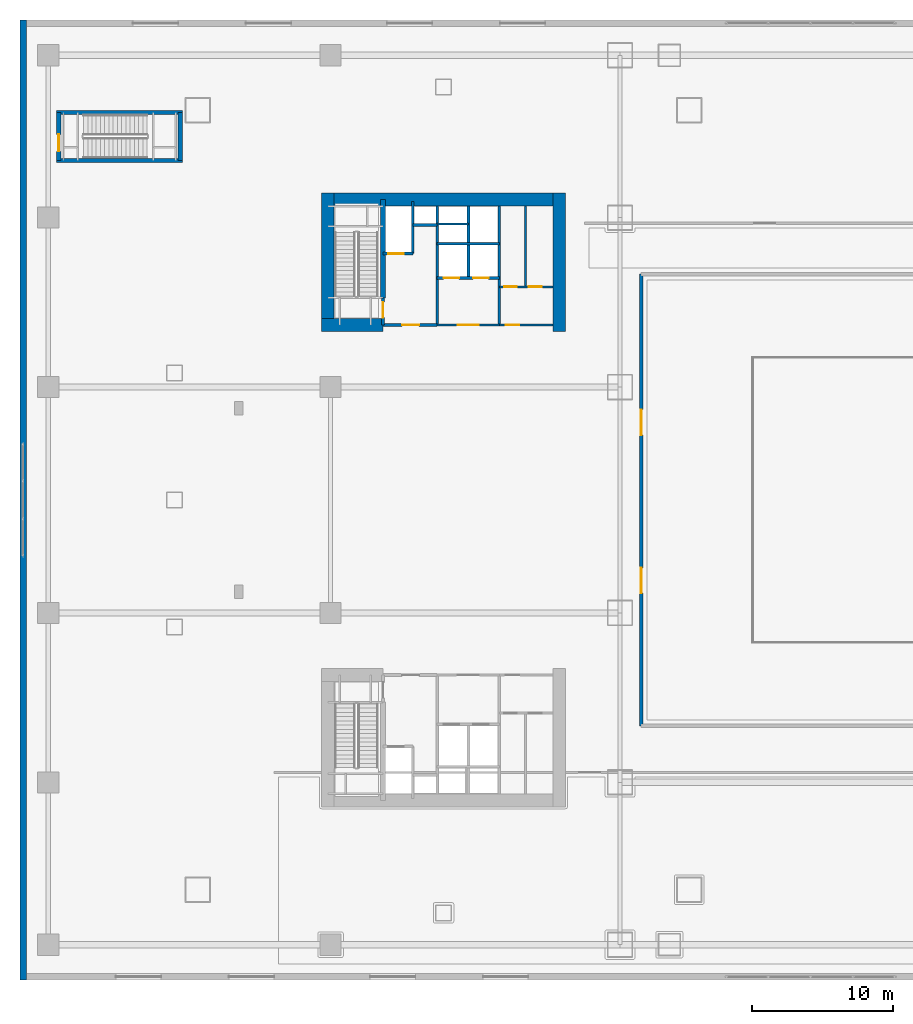
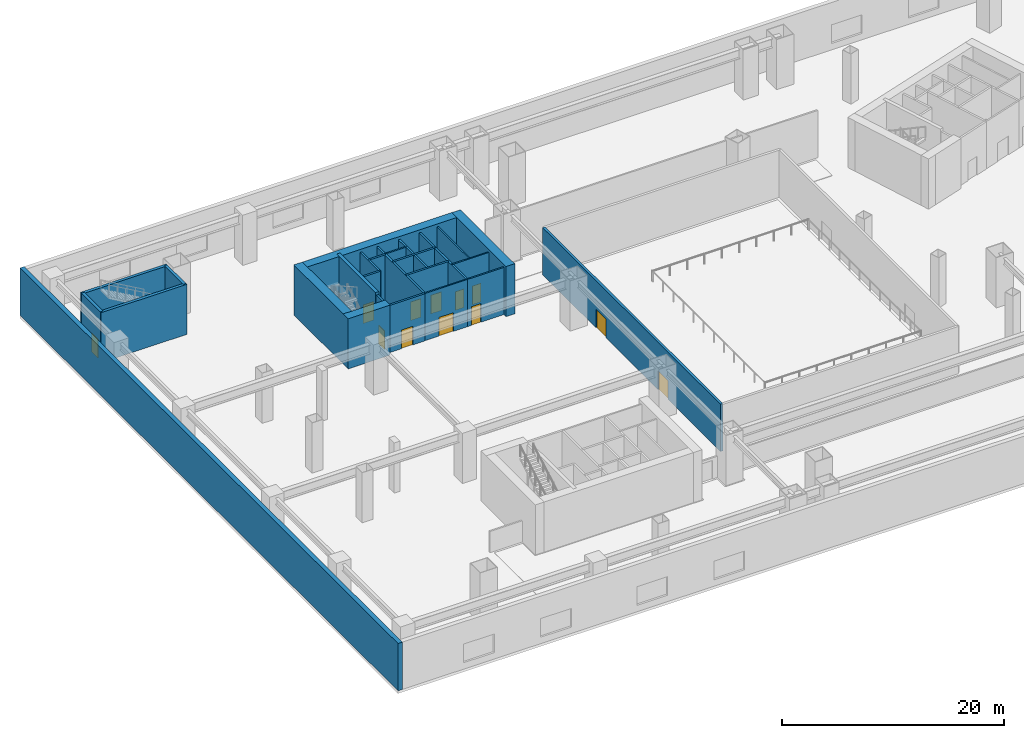
# One storey, part 25 of 35: 26 walls, 12 doors, 12 openings.
"""IFC4 building model written with IfcOpenShell, lengths in metres."""

from ifc_helpers import new_model, si_unit, direction, frame, frame_2d, origin, place, context, subcontext, project, spatial, rectangle, extrude, material, layer, layer_set, type_object, element, fill, save


model = new_model("IFC4")

# Units and contexts
model_context = context("Model", 3, precision=1e-05, world=origin(), true_north=direction((0.0, 1.0)))
body_context = subcontext(model_context, "Body", "Model", "MODEL_VIEW")
ifc_project = project(units=[si_unit("LENGTHUNIT", "METRE"), si_unit("AREAUNIT", "SQUARE_METRE"), si_unit("VOLUMEUNIT", "CUBIC_METRE"), si_unit("PLANEANGLEUNIT", "RADIAN"), si_unit("MASSUNIT", "GRAM", prefix="KILO")], contexts=[model_context])

# Site, building, storey
site_placement = place(None, origin())
site = spatial("IfcSite", under=ifc_project, at=site_placement, CompositionType="ELEMENT")
building_placement = place(site_placement, origin())
building = spatial("IfcBuilding", under=site, at=building_placement, Name="Qiaolan Cultural Towers", CompositionType="ELEMENT")
storey_placement = place(building_placement, frame((0.0, 0.0, 6.0)))
storey = spatial("IfcBuildingStorey", under=building, at=storey_placement, Name="L01", CompositionType="ELEMENT", Elevation=6.0)

# Walls
ifc_material_1 = material(Name="Concrete C50", Category="concrete")
ifc_layer_1 = layer(ifc_material_1, 0.35009765625)
ifc_layer_set_1 = layer_set([ifc_layer_1], Name="Concrete C50")
wall_type_1 = type_object("IfcWallType", Name="WL-CORE-350", PredefinedType="SHEAR", material=ifc_layer_set_1)
wall_1_placement = place(storey_placement, frame((25.719970703125, 48.300048828125, 0.0), z_axis=(0.0, 0.0, 1.0), x_axis=(0.0, 1.0, 0.0)))
element("IfcWall", 1, at=wall_1_placement, inside=storey, type_object=wall_type_1, Name="L01 T1-CN Stair Core Dividing Web", PredefinedType="SHEAR", context=body_context, shape_type="SweptSolid", body=[
    extrude(rectangle(XDim=6.97998046875, YDim=0.35009765625, at=frame_2d((3.489990234375, 0.0))), origin(), (0.0, 0.0, 1.0), 5.5),
])
for number, where, z_axis, x_axis, name in (
    (2, (2.60009765625, 58.050048828125, 0.0), (0.0, 0.0, 1.0), (1.0, 0.0, 0.0), "L01 STP1 Stair Shaft Wall S"),
    (3, (2.60009765625, 61.449951171875, 0.0), (0.0, 0.0, 1.0), (1.0, 0.0, 0.0), "L01 STP1 Stair Shaft Wall N"),
):
    element("IfcWall", number, at=place(storey_placement, frame(where, z_axis=z_axis, x_axis=x_axis)), inside=storey, type_object=wall_type_1, Name=name, PredefinedType="SHEAR", context=body_context, shape_type="SweptSolid", body=[
        extrude(rectangle(XDim=8.89990234375, YDim=0.300048828125, at=frame_2d((4.449951171875, 0.0))), origin(), (0.0, 0.0, 1.0), 5.5),
    ])
wall_2_placement = place(storey_placement, frame((11.35009765625, 58.050048828125, 0.0), z_axis=(0.0, 0.0, 1.0), x_axis=(0.0, 1.0, 0.0)))
element("IfcWall", 4, at=wall_2_placement, inside=storey, type_object=wall_type_1, Name="L01 STP1 Stair Shaft Wall E", PredefinedType="SHEAR", context=body_context, shape_type="SweptSolid", body=[
    extrude(rectangle(XDim=3.39990234375, YDim=0.300048828125, at=frame_2d((1.699951171875, 0.0))), origin(), (0.0, 0.0, 1.0), 5.5),
])

# Wall, opening, door
wall_3_placement = place(storey_placement, frame((2.75, 58.050048828125, 0.0), z_axis=(0.0, 0.0, 1.0), x_axis=(0.0, 1.0, 0.0)))
wall_3 = element("IfcWall", 5, at=wall_3_placement, inside=storey, type_object=wall_type_1, Name="L01 STP1 Stair Shaft Wall W", PredefinedType="SHEAR", context=body_context, shape_type="SweptSolid", body=[
    extrude(rectangle(XDim=3.39990234375, YDim=0.300048828125, at=frame_2d((1.699951171875, 0.0))), origin(), (0.0, 0.0, 1.0), 5.5),
])
opening_1_placement = place(wall_3_placement, frame((0.64990234375, 0.0, 0.0)))
opening_1 = element("IfcOpeningElement", 6, at=opening_1_placement, cuts=wall_3, Name="Opening FD-03", PredefinedType="OPENING", context=body_context, shape_type="SweptSolid", body=[
    extrude(rectangle(XDim=1.199951171875, YDim=2.050048828125, at=frame_2d((0.60009765625, 1.02490234375))), frame((0.0, 0.159912109375, 0.0), z_axis=(0.0, -1.0, 0.0), x_axis=(1.0, 0.0, 0.0)), (0.0, 0.0, 1.0), 0.320068359375),
])
ifc_material_2 = material(Name="Galvanized Steel Smokeproof Lobby Fire Door", Category="steel")
door_type_1 = type_object("IfcDoorType", Name="DR-FD90-1200", OperationType="NOTDEFINED", PredefinedType="DOOR", material=ifc_material_2)
door_1_placement = place(opening_1_placement, origin())
door_1 = element("IfcDoor", 7, at=door_1_placement, inside=storey, type_object=door_type_1, Name="L01 Exit Stair ST-P1 Fire Door", OperationType="SINGLE_SWING_LEFT", OverallHeight=2.050048828125, OverallWidth=1.199951171875, PredefinedType="DOOR", context=body_context, shape_type="SweptSolid", body=[
    extrude(rectangle(XDim=1.199951171875, YDim=2.050048828125, at=frame_2d((0.60009765625, 1.02490234375))), frame((0.0, 0.02490234375, 0.0), z_axis=(0.0, -1.0, 0.0), x_axis=(1.0, 0.0, 0.0)), (0.0, 0.0, 1.0), 0.050048828125),
])
fill(opening_1, door_1)

# Walls
ifc_material_3 = material(Name="Concrete C60", Category="concrete")
ifc_layer_2 = layer(ifc_material_3, 0.89990234375)
ifc_layer_set_2 = layer_set([ifc_layer_2], Name="Concrete C60")
wall_type_2 = type_object("IfcWallType", Name="WL-CORE-900", PredefinedType="SHEAR", material=ifc_layer_set_2)
wall_4_placement = place(storey_placement, frame((21.35009765625, 55.280029296875, 0.0), z_axis=(0.0, 0.0, 1.0), x_axis=(1.0, 0.0, 0.0)))
element("IfcWall", 8, at=wall_4_placement, inside=storey, type_object=wall_type_2, Name="L01 T1-CN Outer Core Shear Wall", PredefinedType="SHEAR", context=body_context, shape_type="SweptSolid", body=[
    extrude(rectangle(XDim=17.2998046875, YDim=0.89990234375, at=frame_2d((8.64990234375, 0.0))), origin(), (0.0, 0.0, 1.0), 5.5),
])
for number, where, z_axis, x_axis, name in (
    (9, (21.800048828125, 45.949951171875, 0.0), (0.0, 0.0, 1.0), (0.0, 1.0, 0.0), "L01 T1-CN West Core Shear Wall"),
    (10, (38.199951171875, 45.949951171875, 0.0), (0.0, 0.0, 1.0), (0.0, 1.0, 0.0), "L01 T1-CN East Core Shear Wall"),
):
    element("IfcWall", number, at=place(storey_placement, frame(where, z_axis=z_axis, x_axis=x_axis)), inside=storey, type_object=wall_type_2, Name=name, PredefinedType="SHEAR", context=body_context, shape_type="SweptSolid", body=[
        extrude(rectangle(XDim=9.780029296875, YDim=0.89990234375, at=frame_2d((4.89013671875, 0.0))), origin(), (0.0, 0.0, 1.0), 5.5),
    ])
wall_5_placement = place(storey_placement, frame((21.35009765625, 46.39990234375, 0.0), z_axis=(0.0, 0.0, 1.0), x_axis=(1.0, 0.0, 0.0)))
element("IfcWall", 11, at=wall_5_placement, inside=storey, type_object=wall_type_2, Name="L01 T1-CN Stair Front Shear Wall", PredefinedType="SHEAR", context=body_context, shape_type="SweptSolid", body=[
    extrude(rectangle(XDim=4.369873046875, YDim=0.89990234375, at=frame_2d((2.18505859375, 0.0))), origin(), (0.0, 0.0, 1.0), 5.5),
])
ifc_material_4 = material(Name="Precast Concrete C50 Bush-Hammered Granite Pier", Category="masonry")
ifc_layer_3 = layer(ifc_material_4, 0.449951171875)
ifc_layer_set_3 = layer_set([ifc_layer_3], Name="Precast Concrete C50 Bush-Hammered Granite Pier")
wall_type_3 = type_object("IfcWallType", Name="WL-EXT-POD-450", PredefinedType="SOLIDWALL", material=ifc_layer_set_3)
wall_6_placement = place(storey_placement, frame((0.22509765625, 0.0, 0.0), z_axis=(0.0, 0.0, 1.0), x_axis=(0.0, 1.0, 0.0)))
element("IfcWall", 12, at=wall_6_placement, inside=storey, type_object=wall_type_3, Name="L01 Podium Precast Facade Wall WEST", PredefinedType="SOLIDWALL", context=body_context, shape_type="SweptSolid", body=[
    extrude(rectangle(XDim=68.0, YDim=0.449951171875, at=frame_2d((34.0, 0.0))), origin(), (0.0, 0.0, 1.0), 5.199951171875),
])

# Wall, opening, door
ifc_material_5 = material(Name="Concrete C35 Fire Wall", Category="concrete")
ifc_layer_4 = layer(ifc_material_5, 0.199951171875)
ifc_layer_set_4 = layer_set([ifc_layer_4], Name="Concrete C35 Fire Wall")
wall_type_4 = type_object("IfcWallType", Name="WL-FIRE-200", PredefinedType="PARTITIONING", material=ifc_layer_set_4)
wall_7_placement = place(storey_placement, frame((25.719970703125, 46.39990234375, 0.0), z_axis=(0.0, 0.0, 1.0), x_axis=(0.0, 1.0, 0.0)))
wall_7 = element("IfcWall", 13, at=wall_7_placement, inside=storey, type_object=wall_type_4, Name="L01 T1-CN Smokeproof Stair Entry Wall", PredefinedType="PARTITIONING", context=body_context, shape_type="SweptSolid", body=[
    extrude(rectangle(XDim=1.900146484375, YDim=0.199951171875, at=frame_2d((0.9501953125, 0.0))), origin(), (0.0, 0.0, 1.0), 5.18505859375),
])
opening_2_placement = place(wall_7_placement, frame((0.52001953125, 0.0, 0.0)))
opening_2 = element("IfcOpeningElement", 14, at=opening_2_placement, cuts=wall_7, Name="Opening FD-04", PredefinedType="OPENING", context=body_context, shape_type="SweptSolid", body=[
    extrude(rectangle(XDim=1.10009765625, YDim=2.050048828125, at=frame_2d((0.550048828125, 1.02490234375))), frame((0.0, 0.10986328125, 0.0), z_axis=(0.0, -1.0, 0.0), x_axis=(1.0, 0.0, 0.0)), (0.0, 0.0, 1.0), 0.219970703125),
])
ifc_material_6 = material(Name="Galvanized Steel Command Fire Door", Category="steel")
door_type_2 = type_object("IfcDoorType", Name="DR-FD90-1100", OperationType="NOTDEFINED", PredefinedType="DOOR", material=ifc_material_6)
door_2_placement = place(opening_2_placement, origin())
door_2 = element("IfcDoor", 15, at=door_2_placement, inside=storey, type_object=door_type_2, Name="L01 ST-W2 Smokeproof Stair Fire Door", OperationType="SINGLE_SWING_LEFT", OverallHeight=2.050048828125, OverallWidth=1.10009765625, PredefinedType="DOOR", context=body_context, shape_type="SweptSolid", body=[
    extrude(rectangle(XDim=1.10009765625, YDim=2.050048828125, at=frame_2d((0.550048828125, 1.02490234375))), frame((0.0, 0.02490234375, 0.0), z_axis=(0.0, -1.0, 0.0), x_axis=(1.0, 0.0, 0.0)), (0.0, 0.0, 1.0), 0.050048828125),
])
fill(opening_2, door_2)

# Wall
wall_8_placement = place(storey_placement, frame((29.550048828125, 46.39990234375, 0.0), z_axis=(0.0, 0.0, 1.0), x_axis=(0.0, 1.0, 0.0)))
element("IfcWall", 16, at=wall_8_placement, inside=storey, type_object=wall_type_4, Name="L01 T1-CN Firefighting Zone Wall", PredefinedType="PARTITIONING", context=body_context, shape_type="SweptSolid", body=[
    extrude(rectangle(XDim=8.43017578125, YDim=0.199951171875, at=frame_2d((4.215087890625, 0.0))), origin(), (0.0, 0.0, 1.0), 5.18505859375),
])

# Wall, opening, door
wall_9_placement = place(storey_placement, frame((25.719970703125, 46.39990234375, 0.0), z_axis=(0.0, 0.0, 1.0), x_axis=(1.0, 0.0, 0.0)))
wall_9 = element("IfcWall", 17, at=wall_9_placement, inside=storey, type_object=wall_type_4, Name="L01 T1-CN Firefighting Lobby Front Wall", PredefinedType="PARTITIONING", context=body_context, shape_type="SweptSolid", body=[
    extrude(rectangle(XDim=3.830078125, YDim=0.199951171875, at=frame_2d((1.9150390625, 0.0))), origin(), (0.0, 0.0, 1.0), 5.18505859375),
])
opening_3_placement = place(wall_9_placement, frame((1.35009765625, 0.0, 0.0)))
opening_3 = element("IfcOpeningElement", 18, at=opening_3_placement, cuts=wall_9, Name="Opening FD-03", PredefinedType="OPENING", context=body_context, shape_type="SweptSolid", body=[
    extrude(rectangle(XDim=1.199951171875, YDim=2.050048828125, at=frame_2d((0.60009765625, 1.02490234375))), frame((0.0, 0.10986328125, 0.0), z_axis=(0.0, -1.0, 0.0), x_axis=(1.0, 0.0, 0.0)), (0.0, 0.0, 1.0), 0.219970703125),
])
door_3_placement = place(opening_3_placement, origin())
door_3 = element("IfcDoor", 19, at=door_3_placement, inside=storey, type_object=door_type_1, Name="L01 FFL-W2 Firefighting Lobby Fire Door", OperationType="SINGLE_SWING_LEFT", OverallHeight=2.050048828125, OverallWidth=1.199951171875, PredefinedType="DOOR", context=body_context, shape_type="SweptSolid", body=[
    extrude(rectangle(XDim=1.199951171875, YDim=2.050048828125, at=frame_2d((0.60009765625, 1.02490234375))), frame((0.0, 0.02490234375, 0.0), z_axis=(0.0, -1.0, 0.0), x_axis=(1.0, 0.0, 0.0)), (0.0, 0.0, 1.0), 0.050048828125),
])
fill(opening_3, door_3)

wall_10_placement = place(storey_placement, frame((25.719970703125, 51.449951171875, 0.0), z_axis=(0.0, 0.0, 1.0), x_axis=(1.0, 0.0, 0.0)))
wall_10 = element("IfcWall", 20, at=wall_10_placement, inside=storey, type_object=wall_type_4, Name="L01 T1-CN Firefighting Shaft Front Wall", PredefinedType="PARTITIONING", context=body_context, shape_type="SweptSolid", body=[
    extrude(rectangle(XDim=2.10009765625, YDim=0.199951171875, at=frame_2d((1.050048828125, 0.0))), origin(), (0.0, 0.0, 1.0), 5.18505859375),
])
opening_4_placement = place(wall_10_placement, frame((0.35009765625, 0.0, 0.0)))
opening_4 = element("IfcOpeningElement", 21, at=opening_4_placement, cuts=wall_10, Name="Opening LD-01", PredefinedType="OPENING", context=body_context, shape_type="SweptSolid", body=[
    extrude(rectangle(XDim=1.10009765625, YDim=2.050048828125, at=frame_2d((0.550048828125, 1.02490234375))), frame((0.0, 0.10986328125, 0.0), z_axis=(0.0, -1.0, 0.0), x_axis=(1.0, 0.0, 0.0)), (0.0, 0.0, 1.0), 0.219970703125),
])
ifc_material_7 = material(Name="Brushed Stainless Steel S30408 Centre-Parting Lift Landing Door", Category="steel")
door_type_3 = type_object("IfcDoorType", Name="DR-LIFT-1100", OperationType="NOTDEFINED", PredefinedType="DOOR", material=ifc_material_7)
door_4_placement = place(opening_4_placement, origin())
door_4 = element("IfcDoor", 22, at=door_4_placement, inside=storey, type_object=door_type_3, Name="L01 FFL-W2 Firefighting Lift Landing Door", OperationType="DOUBLE_DOOR_SLIDING", OverallHeight=2.050048828125, OverallWidth=1.10009765625, PredefinedType="DOOR", context=body_context, shape_type="SweptSolid", body=[
    extrude(rectangle(XDim=1.10009765625, YDim=2.050048828125, at=frame_2d((0.550048828125, 1.02490234375))), frame((0.0, 0.02490234375, 0.0), z_axis=(0.0, -1.0, 0.0), x_axis=(1.0, 0.0, 0.0)), (0.0, 0.0, 1.0), 0.050048828125),
])
fill(opening_4, door_4)

# Walls
wall_11_placement = place(storey_placement, frame((27.820068359375, 51.449951171875, 0.0), z_axis=(0.0, 0.0, 1.0), x_axis=(0.0, 1.0, 0.0)))
element("IfcWall", 23, at=wall_11_placement, inside=storey, type_object=wall_type_4, Name="L01 T1-CN Firefighting Hoistway East Wall", PredefinedType="PARTITIONING", context=body_context, shape_type="SweptSolid", body=[
    extrude(rectangle(XDim=3.699951171875, YDim=0.199951171875, at=frame_2d((1.85009765625, 0.0))), origin(), (0.0, 0.0, 1.0), 5.18505859375),
])
wall_12_placement = place(storey_placement, frame((27.820068359375, 53.47998046875, 0.0), z_axis=(0.0, 0.0, 1.0), x_axis=(1.0, 0.0, 0.0)))
element("IfcWall", 24, at=wall_12_placement, inside=storey, type_object=wall_type_4, Name="L01 T1-CN Pressurization Shaft Front Wall", PredefinedType="PARTITIONING", context=body_context, shape_type="SweptSolid", body=[
    extrude(rectangle(XDim=1.72998046875, YDim=0.199951171875, at=frame_2d((0.864990234375, 0.0))), origin(), (0.0, 0.0, 1.0), 5.18505859375),
])
wall_13_placement = place(storey_placement, frame((33.949951171875, 46.39990234375, 0.0), z_axis=(0.0, 0.0, 1.0), x_axis=(0.0, 1.0, 0.0)))
element("IfcWall", 25, at=wall_13_placement, inside=storey, type_object=wall_type_4, Name="L01 T1-CN Lift Core East Wall", PredefinedType="PARTITIONING", context=body_context, shape_type="SweptSolid", body=[
    extrude(rectangle(XDim=8.43017578125, YDim=0.199951171875, at=frame_2d((4.215087890625, 0.0))), origin(), (0.0, 0.0, 1.0), 5.18505859375),
])

# Wall, openings, doors
wall_14_placement = place(storey_placement, frame((29.550048828125, 49.719970703125, 0.0), z_axis=(0.0, 0.0, 1.0), x_axis=(1.0, 0.0, 0.0)))
wall_14 = element("IfcWall", 26, at=wall_14_placement, inside=storey, type_object=wall_type_4, Name="L01 T1-CN Passenger Lift Shaft Front Wall", PredefinedType="PARTITIONING", context=body_context, shape_type="SweptSolid", body=[
    extrude(rectangle(XDim=4.39990234375, YDim=0.199951171875, at=frame_2d((2.199951171875, 0.0))), origin(), (0.0, 0.0, 1.0), 5.18505859375),
])
opening_5_placement = place(wall_14_placement, frame((0.449951171875, 0.0, 0.0)))
opening_5 = element("IfcOpeningElement", 27, at=opening_5_placement, cuts=wall_14, Name="Opening LD-01", PredefinedType="OPENING", context=body_context, shape_type="SweptSolid", body=[
    extrude(rectangle(XDim=1.10009765625, YDim=2.050048828125, at=frame_2d((0.550048828125, 1.02490234375))), frame((0.0, 0.10986328125, 0.0), z_axis=(0.0, -1.0, 0.0), x_axis=(1.0, 0.0, 0.0)), (0.0, 0.0, 1.0), 0.219970703125),
])
opening_6_placement = place(wall_14_placement, frame((2.550048828125, 0.0, 0.0)))
opening_6 = element("IfcOpeningElement", 28, at=opening_6_placement, cuts=wall_14, Name="Opening LD-01", PredefinedType="OPENING", context=body_context, shape_type="SweptSolid", body=[
    extrude(rectangle(XDim=1.10009765625, YDim=2.050048828125, at=frame_2d((0.550048828125, 1.02490234375))), frame((0.0, 0.10986328125, 0.0), z_axis=(0.0, -1.0, 0.0), x_axis=(1.0, 0.0, 0.0)), (0.0, 0.0, 1.0), 0.219970703125),
])
door_5_placement = place(opening_5_placement, origin())
door_5 = element("IfcDoor", 29, at=door_5_placement, inside=storey, type_object=door_type_3, Name="L01 Passenger Lift 1 Landing Door", OperationType="DOUBLE_DOOR_SLIDING", OverallHeight=2.050048828125, OverallWidth=1.10009765625, PredefinedType="DOOR", context=body_context, shape_type="SweptSolid", body=[
    extrude(rectangle(XDim=1.10009765625, YDim=2.050048828125, at=frame_2d((0.550048828125, 1.02490234375))), frame((0.0, 0.02490234375, 0.0), z_axis=(0.0, -1.0, 0.0), x_axis=(1.0, 0.0, 0.0)), (0.0, 0.0, 1.0), 0.050048828125),
])
fill(opening_5, door_5)
door_6_placement = place(opening_6_placement, origin())
door_6 = element("IfcDoor", 30, at=door_6_placement, inside=storey, type_object=door_type_3, Name="L01 Passenger Lift 2 Landing Door", OperationType="DOUBLE_DOOR_SLIDING", OverallHeight=2.050048828125, OverallWidth=1.10009765625, PredefinedType="DOOR", context=body_context, shape_type="SweptSolid", body=[
    extrude(rectangle(XDim=1.10009765625, YDim=2.050048828125, at=frame_2d((0.550048828125, 1.02490234375))), frame((0.0, 0.02490234375, 0.0), z_axis=(0.0, -1.0, 0.0), x_axis=(1.0, 0.0, 0.0)), (0.0, 0.0, 1.0), 0.050048828125),
])
fill(opening_6, door_6)

# Walls
wall_15_placement = place(storey_placement, frame((31.780029296875, 49.719970703125, 0.0), z_axis=(0.0, 0.0, 1.0), x_axis=(0.0, 1.0, 0.0)))
element("IfcWall", 31, at=wall_15_placement, inside=storey, type_object=wall_type_4, Name="L01 T1-CN Lift Shaft Divider Wall", PredefinedType="PARTITIONING", context=body_context, shape_type="SweptSolid", body=[
    extrude(rectangle(XDim=5.110107421875, YDim=0.199951171875, at=frame_2d((2.55517578125, 0.0))), origin(), (0.0, 0.0, 1.0), 5.18505859375),
])
wall_16_placement = place(storey_placement, frame((29.550048828125, 52.14990234375, 0.0), z_axis=(0.0, 0.0, 1.0), x_axis=(1.0, 0.0, 0.0)))
element("IfcWall", 32, at=wall_16_placement, inside=storey, type_object=wall_type_4, Name="L01 T1-CN Passenger Lift Shaft Back Wall", PredefinedType="PARTITIONING", context=body_context, shape_type="SweptSolid", body=[
    extrude(rectangle(XDim=4.39990234375, YDim=0.199951171875, at=frame_2d((2.199951171875, 0.0))), origin(), (0.0, 0.0, 1.0), 5.18505859375),
])

# Wall, openings, doors
wall_17_placement = place(storey_placement, frame((44.0, 18.0, 0.0), z_axis=(0.0, 0.0, 1.0), x_axis=(0.0, 1.0, 0.0)))
wall_17 = element("IfcWall", 33, at=wall_17_placement, inside=storey, type_object=wall_type_4, Name="L01 Podium Partition AUD-W", PredefinedType="PARTITIONING", context=body_context, shape_type="SweptSolid", body=[
    extrude(rectangle(XDim=32.0, YDim=0.25, at=frame_2d((16.0, 0.0))), origin(), (0.0, 0.0, 1.0), 5.18505859375),
])
opening_7_placement = place(wall_17_placement, frame((9.39990234375, 0.0, 0.0)))
opening_7 = element("IfcOpeningElement", 34, at=opening_7_placement, cuts=wall_17, Name="Opening FD-01", PredefinedType="OPENING", context=body_context, shape_type="SweptSolid", body=[
    extrude(rectangle(XDim=1.800048828125, YDim=2.050048828125, at=frame_2d((0.89990234375, 1.02490234375))), frame((0.0, 0.135009765625, 0.0), z_axis=(0.0, -1.0, 0.0), x_axis=(1.0, 0.0, 0.0)), (0.0, 0.0, 1.0), 0.27001953125),
])
opening_8_placement = place(wall_17_placement, frame((20.60009765625, 0.0, 0.0)))
opening_8 = element("IfcOpeningElement", 35, at=opening_8_placement, cuts=wall_17, Name="Opening FD-01", PredefinedType="OPENING", context=body_context, shape_type="SweptSolid", body=[
    extrude(rectangle(XDim=1.800048828125, YDim=2.050048828125, at=frame_2d((0.89990234375, 1.02490234375))), frame((0.0, 0.135009765625, 0.0), z_axis=(0.0, -1.0, 0.0), x_axis=(1.0, 0.0, 0.0)), (0.0, 0.0, 1.0), 0.27001953125),
])
ifc_material_8 = material(Name="Galvanized Steel Acoustic Fire Door", Category="steel")
door_type_4 = type_object("IfcDoorType", Name="DR-FD90-1800", OperationType="NOTDEFINED", PredefinedType="DOOR", material=ifc_material_8)
door_7_placement = place(opening_7_placement, origin())
door_7 = element("IfcDoor", 36, at=door_7_placement, inside=storey, type_object=door_type_4, Name="Auditorium West Acoustic Exit Door 1", OperationType="SINGLE_SWING_LEFT", OverallHeight=2.050048828125, OverallWidth=1.800048828125, PredefinedType="DOOR", context=body_context, shape_type="SweptSolid", body=[
    extrude(rectangle(XDim=1.800048828125, YDim=2.050048828125, at=frame_2d((0.89990234375, 1.02490234375))), frame((0.0, 0.02490234375, 0.0), z_axis=(0.0, -1.0, 0.0), x_axis=(1.0, 0.0, 0.0)), (0.0, 0.0, 1.0), 0.050048828125),
])
fill(opening_7, door_7)
door_8_placement = place(opening_8_placement, origin())
door_8 = element("IfcDoor", 37, at=door_8_placement, inside=storey, type_object=door_type_4, Name="Auditorium West Acoustic Exit Door 2", OperationType="SINGLE_SWING_RIGHT", OverallHeight=2.050048828125, OverallWidth=1.800048828125, PredefinedType="DOOR", context=body_context, shape_type="SweptSolid", body=[
    extrude(rectangle(XDim=1.800048828125, YDim=2.050048828125, at=frame_2d((0.89990234375, 1.02490234375))), frame((0.0, 0.02490234375, 0.0), z_axis=(0.0, -1.0, 0.0), x_axis=(1.0, 0.0, 0.0)), (0.0, 0.0, 1.0), 0.050048828125),
])
fill(opening_8, door_8)

# Wall, opening, door
ifc_material_9 = material(Name="Autoclaved Aerated Concrete Block B06", Category="concrete")
ifc_layer_5 = layer(ifc_material_9, 0.14990234375)
ifc_layer_set_5 = layer_set([ifc_layer_5], Name="Autoclaved Aerated Concrete Block B06")
wall_type_5 = type_object("IfcWallType", Name="WL-PART-150", PredefinedType="PARTITIONING", material=ifc_layer_set_5)
wall_18_placement = place(storey_placement, frame((29.550048828125, 46.39990234375, 0.0), z_axis=(0.0, 0.0, 1.0), x_axis=(1.0, 0.0, 0.0)))
wall_18 = element("IfcWall", 38, at=wall_18_placement, inside=storey, type_object=wall_type_5, Name="L01 T1-CN Passenger Lift Lobby Front Wall", PredefinedType="PARTITIONING", context=body_context, shape_type="SweptSolid", body=[
    extrude(rectangle(XDim=4.39990234375, YDim=0.14990234375, at=frame_2d((2.199951171875, 0.0))), origin(), (0.0, 0.0, 1.0), 5.18505859375),
])
opening_9_placement = place(wall_18_placement, frame((1.449951171875, 0.0, 0.0)))
opening_9 = element("IfcOpeningElement", 39, at=opening_9_placement, cuts=wall_18, Name="Opening FD-05", PredefinedType="OPENING", context=body_context, shape_type="SweptSolid", body=[
    extrude(rectangle(XDim=1.5, YDim=2.050048828125, at=frame_2d((0.75, 1.02490234375))), frame((0.0, 0.0849609375, 0.0), z_axis=(0.0, -1.0, 0.0), x_axis=(1.0, 0.0, 0.0)), (0.0, 0.0, 1.0), 0.169921875),
])
ifc_material_10 = material(Name="Painted Steel Lift Lobby Fire Door", Category="steel")
door_type_5 = type_object("IfcDoorType", Name="DR-FD60-1500", OperationType="NOTDEFINED", PredefinedType="DOOR", material=ifc_material_10)
door_9_placement = place(opening_9_placement, origin())
door_9 = element("IfcDoor", 40, at=door_9_placement, inside=storey, type_object=door_type_5, Name="L01 Passenger Lift Lobby Entrance", OperationType="SINGLE_SWING_LEFT", OverallHeight=2.050048828125, OverallWidth=1.5, PredefinedType="DOOR", context=body_context, shape_type="SweptSolid", body=[
    extrude(rectangle(XDim=1.5, YDim=2.050048828125, at=frame_2d((0.75, 1.02490234375))), frame((0.0, 0.02490234375, 0.0), z_axis=(0.0, -1.0, 0.0), x_axis=(1.0, 0.0, 0.0)), (0.0, 0.0, 1.0), 0.050048828125),
])
fill(opening_9, door_9)

# Wall
wall_19_placement = place(storey_placement, frame((29.550048828125, 53.550048828125, 0.0), z_axis=(0.0, 0.0, 1.0), x_axis=(1.0, 0.0, 0.0)))
element("IfcWall", 41, at=wall_19_placement, inside=storey, type_object=wall_type_5, Name="L01 T1-CN Core Rear Riser Split", PredefinedType="PARTITIONING", context=body_context, shape_type="SweptSolid", body=[
    extrude(rectangle(XDim=2.22998046875, YDim=0.14990234375, at=frame_2d((1.114990234375, 0.0))), origin(), (0.0, 0.0, 1.0), 5.18505859375),
])

# Wall, opening, door
wall_20_placement = place(storey_placement, frame((33.949951171875, 46.39990234375, 0.0), z_axis=(0.0, 0.0, 1.0), x_axis=(1.0, 0.0, 0.0)))
wall_20 = element("IfcWall", 42, at=wall_20_placement, inside=storey, type_object=wall_type_5, Name="L01 T1-CN Sanitary Core Front Wall", PredefinedType="PARTITIONING", context=body_context, shape_type="SweptSolid", body=[
    extrude(rectangle(XDim=3.800048828125, YDim=0.14990234375, at=frame_2d((1.89990234375, 0.0))), origin(), (0.0, 0.0, 1.0), 5.18505859375),
])
opening_10_placement = place(wall_20_placement, frame((0.449951171875, 0.0, 0.0)))
opening_10 = element("IfcOpeningElement", 43, at=opening_10_placement, cuts=wall_20, Name="Opening ID-05", PredefinedType="OPENING", context=body_context, shape_type="SweptSolid", body=[
    extrude(rectangle(XDim=0.949951171875, YDim=2.050048828125, at=frame_2d((0.47509765625, 1.02490234375))), frame((0.0, 0.0849609375, 0.0), z_axis=(0.0, -1.0, 0.0), x_axis=(1.0, 0.0, 0.0)), (0.0, 0.0, 1.0), 0.169921875),
])
ifc_material_11 = material(Name="Fire-Rated Laminate Accessible Core Door", Category="timber")
door_type_6 = type_object("IfcDoorType", Name="DR-INT-950", OperationType="NOTDEFINED", PredefinedType="DOOR", material=ifc_material_11)
door_10_placement = place(opening_10_placement, origin())
door_10 = element("IfcDoor", 44, at=door_10_placement, inside=storey, type_object=door_type_6, Name="L01 Sanitary Vestibule Door", OperationType="SINGLE_SWING_LEFT", OverallHeight=2.050048828125, OverallWidth=0.949951171875, PredefinedType="DOOR", context=body_context, shape_type="SweptSolid", body=[
    extrude(rectangle(XDim=0.949951171875, YDim=2.050048828125, at=frame_2d((0.47509765625, 1.02490234375))), frame((0.0, 0.02490234375, 0.0), z_axis=(0.0, -1.0, 0.0), x_axis=(1.0, 0.0, 0.0)), (0.0, 0.0, 1.0), 0.050048828125),
])
fill(opening_10, door_10)

# Wall, openings, doors
wall_21_placement = place(storey_placement, frame((33.949951171875, 49.10009765625, 0.0), z_axis=(0.0, 0.0, 1.0), x_axis=(1.0, 0.0, 0.0)))
wall_21 = element("IfcWall", 45, at=wall_21_placement, inside=storey, type_object=wall_type_5, Name="L01 T1-CN Restroom Vestibule Wall", PredefinedType="PARTITIONING", context=body_context, shape_type="SweptSolid", body=[
    extrude(rectangle(XDim=3.800048828125, YDim=0.14990234375, at=frame_2d((1.89990234375, 0.0))), origin(), (0.0, 0.0, 1.0), 5.18505859375),
])
opening_11_placement = place(wall_21_placement, frame((0.35009765625, 0.0, 0.0)))
opening_11 = element("IfcOpeningElement", 46, at=opening_11_placement, cuts=wall_21, Name="Opening ID-06", PredefinedType="OPENING", context=body_context, shape_type="SweptSolid", body=[
    extrude(rectangle(XDim=0.89990234375, YDim=2.050048828125, at=frame_2d((0.449951171875, 1.02490234375))), frame((0.0, 0.0849609375, 0.0), z_axis=(0.0, -1.0, 0.0), x_axis=(1.0, 0.0, 0.0)), (0.0, 0.0, 1.0), 0.169921875),
])
opening_12_placement = place(wall_21_placement, frame((2.10009765625, 0.0, 0.0)))
opening_12 = element("IfcOpeningElement", 47, at=opening_12_placement, cuts=wall_21, Name="Opening ID-06", PredefinedType="OPENING", context=body_context, shape_type="SweptSolid", body=[
    extrude(rectangle(XDim=0.89990234375, YDim=2.050048828125, at=frame_2d((0.449951171875, 1.02490234375))), frame((0.0, 0.0849609375, 0.0), z_axis=(0.0, -1.0, 0.0), x_axis=(1.0, 0.0, 0.0)), (0.0, 0.0, 1.0), 0.169921875),
])
ifc_material_12 = material(Name="Fire-Rated Laminate Core Service Door", Category="timber")
door_type_7 = type_object("IfcDoorType", Name="DR-INT-900", OperationType="NOTDEFINED", PredefinedType="DOOR", material=ifc_material_12)
door_11_placement = place(opening_11_placement, origin())
door_11 = element("IfcDoor", 48, at=door_11_placement, inside=storey, type_object=door_type_7, Name="L01 Men Restroom Door", OperationType="SINGLE_SWING_LEFT", OverallHeight=2.050048828125, OverallWidth=0.89990234375, PredefinedType="DOOR", context=body_context, shape_type="SweptSolid", body=[
    extrude(rectangle(XDim=0.89990234375, YDim=2.050048828125, at=frame_2d((0.449951171875, 1.02490234375))), frame((0.0, 0.02490234375, 0.0), z_axis=(0.0, -1.0, 0.0), x_axis=(1.0, 0.0, 0.0)), (0.0, 0.0, 1.0), 0.050048828125),
])
fill(opening_11, door_11)
door_12_placement = place(opening_12_placement, origin())
door_12 = element("IfcDoor", 49, at=door_12_placement, inside=storey, type_object=door_type_7, Name="L01 Accessible & Women Restroom Door", OperationType="SINGLE_SWING_RIGHT", OverallHeight=2.050048828125, OverallWidth=0.89990234375, PredefinedType="DOOR", context=body_context, shape_type="SweptSolid", body=[
    extrude(rectangle(XDim=0.89990234375, YDim=2.050048828125, at=frame_2d((0.449951171875, 1.02490234375))), frame((0.0, 0.02490234375, 0.0), z_axis=(0.0, -1.0, 0.0), x_axis=(1.0, 0.0, 0.0)), (0.0, 0.0, 1.0), 0.050048828125),
])
fill(opening_12, door_12)

# Wall
wall_22_placement = place(storey_placement, frame((35.800048828125, 49.10009765625, 0.0), z_axis=(0.0, 0.0, 1.0), x_axis=(0.0, 1.0, 0.0)))
element("IfcWall", 50, at=wall_22_placement, inside=storey, type_object=wall_type_5, Name="L01 T1-CN Restroom Divider Wall", PredefinedType="PARTITIONING", context=body_context, shape_type="SweptSolid", body=[
    extrude(rectangle(XDim=5.72998046875, YDim=0.14990234375, at=frame_2d((2.864990234375, 0.0))), origin(), (0.0, 0.0, 1.0), 5.18505859375),
])

save(model, "model.ifc")
